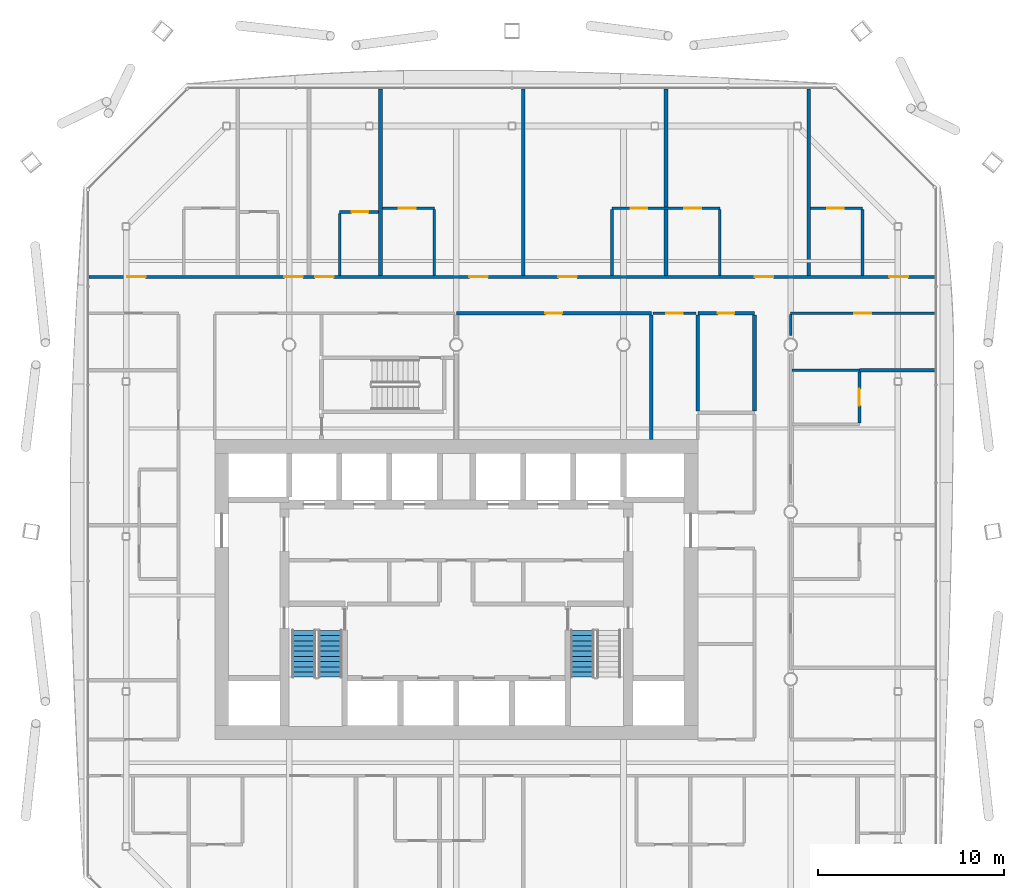
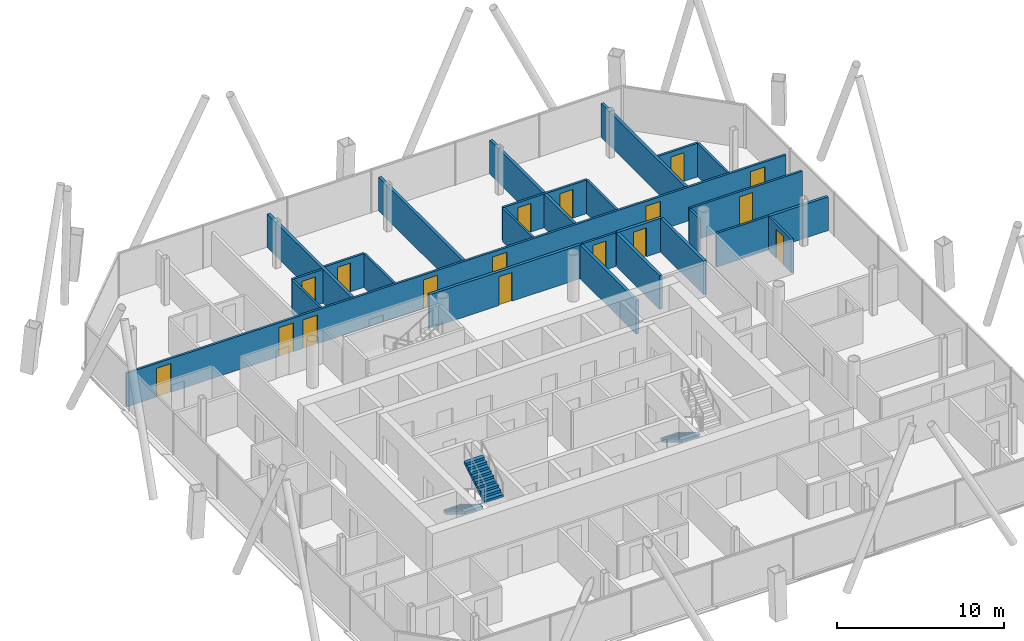
# One storey, part 17 of 23: 25 walls, 17 doors, 3 stair flights, 17 openings, 2 elements without a shape of their own.
"""IFC4 building model written with IfcOpenShell, lengths in metres."""

from ifc_helpers import new_model, si_unit, direction, frame, frame_2d, origin, place, context, subcontext, project, spatial, polyline, rectangle, outline, extrude, material, layer, layer_set, type_object, element, fill, aggregate, save


model = new_model("IFC4")

# Units and contexts
model_context = context("Model", 3, precision=1e-05, world=origin(), true_north=direction((0.0, 1.0)))
body_context = subcontext(model_context, "Body", "Model", "MODEL_VIEW")
ifc_project = project(units=[si_unit("LENGTHUNIT", "METRE"), si_unit("AREAUNIT", "SQUARE_METRE"), si_unit("VOLUMEUNIT", "CUBIC_METRE"), si_unit("PLANEANGLEUNIT", "RADIAN"), si_unit("MASSUNIT", "GRAM", prefix="KILO")], contexts=[model_context])

# Site, building, storey
site_placement = place(None, origin())
site = spatial("IfcSite", under=ifc_project, at=site_placement, CompositionType="ELEMENT")
building_placement = place(site_placement, origin())
building = spatial("IfcBuilding", under=site, at=building_placement, Name="Tskaro Facet Tower", CompositionType="ELEMENT")
storey_placement = place(building_placement, frame((0.0, 0.0, 131.699951171875)))
storey = spatial("IfcBuildingStorey", under=building, at=storey_placement, Name="L31", CompositionType="ELEMENT", Elevation=131.699951171875)

# Wall
ifc_material_1 = material(Name="Gypsum board on steel studs", Category="steel")
ifc_layer_1 = layer(ifc_material_1, 0.14990234375, Name="Gypsum board on steel studs")
ifc_layer_set_1 = layer_set([ifc_layer_1], Name="Gypsum board on steel studs")
wall_type_1 = type_object("IfcWallType", Name="PART-CORR", PredefinedType="PARTITIONING", material=ifc_layer_set_1)
wall_1_placement = place(storey_placement, frame((18.074951171875, 7.6259765625, 0.0), z_axis=(0.0, 0.0, 1.0), x_axis=(1.0, 0.0, 0.0)))
element("IfcWall", 1, at=wall_1_placement, inside=storey, type_object=wall_type_1, Name="Corridor wall W034", PredefinedType="PARTITIONING", context=body_context, shape_type="SweptSolid", body=[
    extrude(rectangle(XDim=3.625, YDim=0.14990234375, at=frame_2d((1.8125, 0.0))), origin(), (0.0, 0.0, 1.0), 2.4599609375),
])

# Wall, opening, door
wall_2_placement = place(storey_placement, frame((12.89990234375, 10.699951171875, 0.0), z_axis=(0.0, 0.0, 1.0), x_axis=(-1.0, 0.0, 0.0)))
wall_2 = element("IfcWall", 2, at=wall_2_placement, inside=storey, type_object=wall_type_1, Name="Corridor wall W041", PredefinedType="PARTITIONING", context=body_context, shape_type="SweptSolid", body=[
    extrude(rectangle(XDim=2.2998046875, YDim=0.14990234375, at=frame_2d((1.14990234375, 0.0))), origin(), (0.0, 0.0, 1.0), 2.4599609375),
])
opening_1_placement = place(wall_2_placement, frame((0.699951171875, 0.0, 0.0)))
opening_1 = element("IfcOpeningElement", 3, at=opening_1_placement, cuts=wall_2, Name="Opening T9-D45", PredefinedType="OPENING", context=body_context, shape_type="SweptSolid", body=[
    extrude(rectangle(XDim=0.89990234375, YDim=2.10009765625, at=frame_2d((0.449951171875, 1.050048828125))), frame((0.0, 0.0849609375, 0.0), z_axis=(0.0, -1.0, 0.0), x_axis=(1.0, 0.0, 0.0)), (0.0, 0.0, 1.0), 0.169921875),
])
ifc_material_2 = material(Name="Timber", Category="wood")
door_type_1 = type_object("IfcDoorType", Name="D-ROOM", OperationType="NOTDEFINED", PredefinedType="DOOR", material=ifc_material_2)
door_1_placement = place(opening_1_placement, origin())
door_1 = element("IfcDoor", 4, at=door_1_placement, inside=storey, type_object=door_type_1, Name="Door T9-D45", OperationType="SINGLE_SWING_RIGHT", OverallHeight=2.10009765625, OverallWidth=0.89990234375, PredefinedType="DOOR", context=body_context, shape_type="SweptSolid", body=[
    extrude(rectangle(XDim=0.89990234375, YDim=2.10009765625, at=frame_2d((0.449951171875, 1.050048828125))), frame((0.0, 0.02490234375, 0.0), z_axis=(0.0, -1.0, 0.0), x_axis=(1.0, 0.0, 0.0)), (0.0, 0.0, 1.0), 0.050048828125),
])
fill(opening_1, door_1)

wall_3_placement = place(storey_placement, frame((25.77001953125, 10.699951171875, 0.0), z_axis=(0.0, 0.0, 1.0), x_axis=(-1.0, 0.0, 0.0)))
wall_3 = element("IfcWall", 5, at=wall_3_placement, inside=storey, type_object=wall_type_1, Name="Corridor wall W043", PredefinedType="PARTITIONING", context=body_context, shape_type="SweptSolid", body=[
    extrude(rectangle(XDim=7.77001953125, YDim=0.14990234375, at=frame_2d((3.885009765625, 0.0))), origin(), (0.0, 0.0, 1.0), 2.4599609375),
])
opening_2_placement = place(wall_3_placement, frame((3.43505859375, 0.0, 0.0)))
opening_2 = element("IfcOpeningElement", 6, at=opening_2_placement, cuts=wall_3, Name="Opening T9-D47", PredefinedType="OPENING", context=body_context, shape_type="SweptSolid", body=[
    extrude(rectangle(XDim=0.89990234375, YDim=2.10009765625, at=frame_2d((0.449951171875, 1.050048828125))), frame((0.0, 0.0849609375, 0.0), z_axis=(0.0, -1.0, 0.0), x_axis=(1.0, 0.0, 0.0)), (0.0, 0.0, 1.0), 0.169921875),
])
door_2_placement = place(opening_2_placement, origin())
door_2 = element("IfcDoor", 7, at=door_2_placement, inside=storey, type_object=door_type_1, Name="Door T9-D47", OperationType="SINGLE_SWING_RIGHT", OverallHeight=2.10009765625, OverallWidth=0.89990234375, PredefinedType="DOOR", context=body_context, shape_type="SweptSolid", body=[
    extrude(rectangle(XDim=0.89990234375, YDim=2.10009765625, at=frame_2d((0.449951171875, 1.050048828125))), frame((0.0, 0.02490234375, 0.0), z_axis=(0.0, -1.0, 0.0), x_axis=(1.0, 0.0, 0.0)), (0.0, 0.0, 1.0), 0.050048828125),
])
fill(opening_2, door_2)

# Wall, openings, doors
wall_4_placement = place(storey_placement, frame((-19.77001953125, 12.64990234375, 0.0), z_axis=(0.0, 0.0, 1.0), x_axis=(1.0, 0.0, 0.0)))
wall_4 = element("IfcWall", 8, at=wall_4_placement, inside=storey, type_object=wall_type_1, Name="Corridor wall W044", PredefinedType="PARTITIONING", context=body_context, shape_type="SweptSolid", body=[
    extrude(rectangle(XDim=45.5400390625, YDim=0.14990234375, at=frame_2d((22.77001953125, 0.0))), origin(), (0.0, 0.0, 1.0), 2.4599609375),
])
opening_3_placement = place(wall_4_placement, frame((2.051025390625, 0.0, 0.0)))
opening_3 = element("IfcOpeningElement", 9, at=opening_3_placement, cuts=wall_4, Name="Opening T9-D48", PredefinedType="OPENING", context=body_context, shape_type="SweptSolid", body=[
    extrude(rectangle(XDim=1.0, YDim=2.10009765625, at=frame_2d((0.5, 1.050048828125))), frame((0.0, 0.0849609375, 0.0), z_axis=(0.0, -1.0, 0.0), x_axis=(1.0, 0.0, 0.0)), (0.0, 0.0, 1.0), 0.169921875),
])
opening_4_placement = place(wall_4_placement, frame((10.51806640625, 0.0, 0.0)))
opening_4 = element("IfcOpeningElement", 10, at=opening_4_placement, cuts=wall_4, Name="Opening T9-D49", PredefinedType="OPENING", context=body_context, shape_type="SweptSolid", body=[
    extrude(rectangle(XDim=1.0, YDim=2.10009765625, at=frame_2d((0.5, 1.050048828125))), frame((0.0, 0.0849609375, 0.0), z_axis=(0.0, -1.0, 0.0), x_axis=(1.0, 0.0, 0.0)), (0.0, 0.0, 1.0), 0.169921875),
])
opening_5_placement = place(wall_4_placement, frame((12.169921875, 0.0, 0.0)))
opening_5 = element("IfcOpeningElement", 11, at=opening_5_placement, cuts=wall_4, Name="Opening T9-D50", PredefinedType="OPENING", context=body_context, shape_type="SweptSolid", body=[
    extrude(rectangle(XDim=1.0, YDim=2.10009765625, at=frame_2d((0.5, 1.050048828125))), frame((0.0, 0.0849609375, 0.0), z_axis=(0.0, -1.0, 0.0), x_axis=(1.0, 0.0, 0.0)), (0.0, 0.0, 1.0), 0.169921875),
])
opening_6_placement = place(wall_4_placement, frame((20.47802734375, 0.0, 0.0)))
opening_6 = element("IfcOpeningElement", 12, at=opening_6_placement, cuts=wall_4, Name="Opening T9-D51", PredefinedType="OPENING", context=body_context, shape_type="SweptSolid", body=[
    extrude(rectangle(XDim=1.0, YDim=2.10009765625, at=frame_2d((0.5, 1.050048828125))), frame((0.0, 0.0849609375, 0.0), z_axis=(0.0, -1.0, 0.0), x_axis=(1.0, 0.0, 0.0)), (0.0, 0.0, 1.0), 0.169921875),
])
opening_7_placement = place(wall_4_placement, frame((25.261962890625, 0.0, 0.0)))
opening_7 = element("IfcOpeningElement", 13, at=opening_7_placement, cuts=wall_4, Name="Opening T9-D52", PredefinedType="OPENING", context=body_context, shape_type="SweptSolid", body=[
    extrude(rectangle(XDim=1.0, YDim=2.10009765625, at=frame_2d((0.5, 1.050048828125))), frame((0.0, 0.0849609375, 0.0), z_axis=(0.0, -1.0, 0.0), x_axis=(1.0, 0.0, 0.0)), (0.0, 0.0, 1.0), 0.169921875),
])
opening_8_placement = place(wall_4_placement, frame((35.845947265625, 0.0, 0.0)))
opening_8 = element("IfcOpeningElement", 14, at=opening_8_placement, cuts=wall_4, Name="Opening T9-D53", PredefinedType="OPENING", context=body_context, shape_type="SweptSolid", body=[
    extrude(rectangle(XDim=1.0, YDim=2.10009765625, at=frame_2d((0.5, 1.050048828125))), frame((0.0, 0.0849609375, 0.0), z_axis=(0.0, -1.0, 0.0), x_axis=(1.0, 0.0, 0.0)), (0.0, 0.0, 1.0), 0.169921875),
])
opening_9_placement = place(wall_4_placement, frame((43.089111328125, 0.0, 0.0)))
opening_9 = element("IfcOpeningElement", 15, at=opening_9_placement, cuts=wall_4, Name="Opening T9-D54", PredefinedType="OPENING", context=body_context, shape_type="SweptSolid", body=[
    extrude(rectangle(XDim=1.0, YDim=2.10009765625, at=frame_2d((0.5, 1.050048828125))), frame((0.0, 0.0849609375, 0.0), z_axis=(0.0, -1.0, 0.0), x_axis=(1.0, 0.0, 0.0)), (0.0, 0.0, 1.0), 0.169921875),
])
door_type_2 = type_object("IfcDoorType", Name="D-ENTRY", OperationType="NOTDEFINED", PredefinedType="DOOR", material=ifc_material_2)
door_3_placement = place(opening_3_placement, origin())
door_3 = element("IfcDoor", 16, at=door_3_placement, inside=storey, type_object=door_type_2, Name="Door T9-D48", OperationType="SINGLE_SWING_RIGHT", OverallHeight=2.10009765625, OverallWidth=1.0, PredefinedType="DOOR", context=body_context, shape_type="SweptSolid", body=[
    extrude(rectangle(XDim=1.0, YDim=2.10009765625, at=frame_2d((0.5, 1.050048828125))), frame((0.0, 0.02490234375, 0.0), z_axis=(0.0, -1.0, 0.0), x_axis=(1.0, 0.0, 0.0)), (0.0, 0.0, 1.0), 0.050048828125),
])
fill(opening_3, door_3)
door_4_placement = place(opening_4_placement, origin())
door_4 = element("IfcDoor", 17, at=door_4_placement, inside=storey, type_object=door_type_2, Name="Door T9-D49", OperationType="SINGLE_SWING_LEFT", OverallHeight=2.10009765625, OverallWidth=1.0, PredefinedType="DOOR", context=body_context, shape_type="SweptSolid", body=[
    extrude(rectangle(XDim=1.0, YDim=2.10009765625, at=frame_2d((0.5, 1.050048828125))), frame((0.0, 0.02490234375, 0.0), z_axis=(0.0, -1.0, 0.0), x_axis=(1.0, 0.0, 0.0)), (0.0, 0.0, 1.0), 0.050048828125),
])
fill(opening_4, door_4)
door_5_placement = place(opening_5_placement, origin())
door_5 = element("IfcDoor", 18, at=door_5_placement, inside=storey, type_object=door_type_2, Name="Door T9-D50", OperationType="SINGLE_SWING_LEFT", OverallHeight=2.10009765625, OverallWidth=1.0, PredefinedType="DOOR", context=body_context, shape_type="SweptSolid", body=[
    extrude(rectangle(XDim=1.0, YDim=2.10009765625, at=frame_2d((0.5, 1.050048828125))), frame((0.0, 0.02490234375, 0.0), z_axis=(0.0, -1.0, 0.0), x_axis=(1.0, 0.0, 0.0)), (0.0, 0.0, 1.0), 0.050048828125),
])
fill(opening_5, door_5)
door_6_placement = place(opening_6_placement, origin())
door_6 = element("IfcDoor", 19, at=door_6_placement, inside=storey, type_object=door_type_2, Name="Door T9-D51", OperationType="SINGLE_SWING_RIGHT", OverallHeight=2.10009765625, OverallWidth=1.0, PredefinedType="DOOR", context=body_context, shape_type="SweptSolid", body=[
    extrude(rectangle(XDim=1.0, YDim=2.10009765625, at=frame_2d((0.5, 1.050048828125))), frame((0.0, 0.02490234375, 0.0), z_axis=(0.0, -1.0, 0.0), x_axis=(1.0, 0.0, 0.0)), (0.0, 0.0, 1.0), 0.050048828125),
])
fill(opening_6, door_6)
door_7_placement = place(opening_7_placement, origin())
door_7 = element("IfcDoor", 20, at=door_7_placement, inside=storey, type_object=door_type_2, Name="Door T9-D52", OperationType="SINGLE_SWING_RIGHT", OverallHeight=2.10009765625, OverallWidth=1.0, PredefinedType="DOOR", context=body_context, shape_type="SweptSolid", body=[
    extrude(rectangle(XDim=1.0, YDim=2.10009765625, at=frame_2d((0.5, 1.050048828125))), frame((0.0, 0.02490234375, 0.0), z_axis=(0.0, -1.0, 0.0), x_axis=(1.0, 0.0, 0.0)), (0.0, 0.0, 1.0), 0.050048828125),
])
fill(opening_7, door_7)
door_8_placement = place(opening_8_placement, origin())
door_8 = element("IfcDoor", 21, at=door_8_placement, inside=storey, type_object=door_type_2, Name="Door T9-D53", OperationType="SINGLE_SWING_LEFT", OverallHeight=2.10009765625, OverallWidth=1.0, PredefinedType="DOOR", context=body_context, shape_type="SweptSolid", body=[
    extrude(rectangle(XDim=1.0, YDim=2.10009765625, at=frame_2d((0.5, 1.050048828125))), frame((0.0, 0.02490234375, 0.0), z_axis=(0.0, -1.0, 0.0), x_axis=(1.0, 0.0, 0.0)), (0.0, 0.0, 1.0), 0.050048828125),
])
fill(opening_8, door_8)
door_9_placement = place(opening_9_placement, origin())
door_9 = element("IfcDoor", 22, at=door_9_placement, inside=storey, type_object=door_type_2, Name="Door T9-D54", OperationType="SINGLE_SWING_RIGHT", OverallHeight=2.10009765625, OverallWidth=1.0, PredefinedType="DOOR", context=body_context, shape_type="SweptSolid", body=[
    extrude(rectangle(XDim=1.0, YDim=2.10009765625, at=frame_2d((0.5, 1.050048828125))), frame((0.0, 0.02490234375, 0.0), z_axis=(0.0, -1.0, 0.0), x_axis=(1.0, 0.0, 0.0)), (0.0, 0.0, 1.0), 0.050048828125),
])
fill(opening_9, door_9)

# Wall, opening, door
wall_5_placement = place(storey_placement, frame((-4.18408203125, 16.14990234375, 0.0), z_axis=(0.0, 0.0, 1.0), x_axis=(-1.0, 0.0, 0.0)))
wall_5 = element("IfcWall", 23, at=wall_5_placement, inside=storey, type_object=wall_type_1, Name="Corridor wall W046", PredefinedType="PARTITIONING", context=body_context, shape_type="SweptSolid", body=[
    extrude(rectangle(XDim=2.08984375, YDim=0.14990234375, at=frame_2d((1.044921875, 0.0))), origin(), (0.0, 0.0, 1.0), 2.4599609375),
])
opening_10_placement = place(wall_5_placement, frame((0.544921875, 0.0, 0.0)))
opening_10 = element("IfcOpeningElement", 24, at=opening_10_placement, cuts=wall_5, Name="Opening T9-D56", PredefinedType="OPENING", context=body_context, shape_type="SweptSolid", body=[
    extrude(rectangle(XDim=0.89990234375, YDim=2.10009765625, at=frame_2d((0.449951171875, 1.050048828125))), frame((0.0, 0.0849609375, 0.0), z_axis=(0.0, -1.0, 0.0), x_axis=(1.0, 0.0, 0.0)), (0.0, 0.0, 1.0), 0.169921875),
])
door_10_placement = place(opening_10_placement, origin())
door_10 = element("IfcDoor", 25, at=door_10_placement, inside=storey, type_object=door_type_1, Name="Door T9-D56", OperationType="SINGLE_SWING_RIGHT", OverallHeight=2.10009765625, OverallWidth=0.89990234375, PredefinedType="DOOR", context=body_context, shape_type="SweptSolid", body=[
    extrude(rectangle(XDim=0.89990234375, YDim=2.10009765625, at=frame_2d((0.449951171875, 1.050048828125))), frame((0.0, 0.02490234375, 0.0), z_axis=(0.0, -1.0, 0.0), x_axis=(1.0, 0.0, 0.0)), (0.0, 0.0, 1.0), 0.050048828125),
])
fill(opening_10, door_10)

wall_6_placement = place(storey_placement, frame((-1.18408203125, 16.35009765625, 0.0), z_axis=(0.0, 0.0, 1.0), x_axis=(-1.0, 0.0, 0.0)))
wall_6 = element("IfcWall", 26, at=wall_6_placement, inside=storey, type_object=wall_type_1, Name="Corridor wall W048", PredefinedType="PARTITIONING", context=body_context, shape_type="SweptSolid", body=[
    extrude(rectangle(XDim=2.7998046875, YDim=0.14990234375, at=frame_2d((1.39990234375, 0.0))), origin(), (0.0, 0.0, 1.0), 2.4599609375),
])
opening_11_placement = place(wall_6_placement, frame((1.0, 0.0, 0.0)))
opening_11 = element("IfcOpeningElement", 27, at=opening_11_placement, cuts=wall_6, Name="Opening T9-D58", PredefinedType="OPENING", context=body_context, shape_type="SweptSolid", body=[
    extrude(rectangle(XDim=0.89990234375, YDim=2.10009765625, at=frame_2d((0.449951171875, 1.050048828125))), frame((0.0, 0.0849609375, 0.0), z_axis=(0.0, -1.0, 0.0), x_axis=(1.0, 0.0, 0.0)), (0.0, 0.0, 1.0), 0.169921875),
])
door_11_placement = place(opening_11_placement, origin())
door_11 = element("IfcDoor", 28, at=door_11_placement, inside=storey, type_object=door_type_1, Name="Door T9-D58", OperationType="SINGLE_SWING_RIGHT", OverallHeight=2.10009765625, OverallWidth=0.89990234375, PredefinedType="DOOR", context=body_context, shape_type="SweptSolid", body=[
    extrude(rectangle(XDim=0.89990234375, YDim=2.10009765625, at=frame_2d((0.449951171875, 1.050048828125))), frame((0.0, 0.02490234375, 0.0), z_axis=(0.0, -1.0, 0.0), x_axis=(1.0, 0.0, 0.0)), (0.0, 0.0, 1.0), 0.050048828125),
])
fill(opening_11, door_11)

# Wall, openings, doors
wall_7_placement = place(storey_placement, frame((14.18408203125, 16.35009765625, 0.0), z_axis=(0.0, 0.0, 1.0), x_axis=(-1.0, 0.0, 0.0)))
wall_7 = element("IfcWall", 29, at=wall_7_placement, inside=storey, type_object=wall_type_1, Name="Corridor wall W049", PredefinedType="PARTITIONING", context=body_context, shape_type="SweptSolid", body=[
    extrude(rectangle(XDim=5.800048828125, YDim=0.14990234375, at=frame_2d((2.89990234375, 0.0))), origin(), (0.0, 0.0, 1.0), 2.4599609375),
])
opening_12_placement = place(wall_7_placement, frame((3.89990234375, 0.0, 0.0)))
opening_12 = element("IfcOpeningElement", 30, at=opening_12_placement, cuts=wall_7, Name="Opening T9-D59", PredefinedType="OPENING", context=body_context, shape_type="SweptSolid", body=[
    extrude(rectangle(XDim=0.89990234375, YDim=2.10009765625, at=frame_2d((0.449951171875, 1.050048828125))), frame((0.0, 0.0849609375, 0.0), z_axis=(0.0, -1.0, 0.0), x_axis=(1.0, 0.0, 0.0)), (0.0, 0.0, 1.0), 0.169921875),
])
opening_13_placement = place(wall_7_placement, frame((1.0, 0.0, 0.0)))
opening_13 = element("IfcOpeningElement", 31, at=opening_13_placement, cuts=wall_7, Name="Opening T9-D60", PredefinedType="OPENING", context=body_context, shape_type="SweptSolid", body=[
    extrude(rectangle(XDim=0.89990234375, YDim=2.10009765625, at=frame_2d((0.449951171875, 1.050048828125))), frame((0.0, 0.0849609375, 0.0), z_axis=(0.0, -1.0, 0.0), x_axis=(1.0, 0.0, 0.0)), (0.0, 0.0, 1.0), 0.169921875),
])
door_12_placement = place(opening_12_placement, origin())
door_12 = element("IfcDoor", 32, at=door_12_placement, inside=storey, type_object=door_type_1, Name="Door T9-D59", OperationType="SINGLE_SWING_RIGHT", OverallHeight=2.10009765625, OverallWidth=0.89990234375, PredefinedType="DOOR", context=body_context, shape_type="SweptSolid", body=[
    extrude(rectangle(XDim=0.89990234375, YDim=2.10009765625, at=frame_2d((0.449951171875, 1.050048828125))), frame((0.0, 0.02490234375, 0.0), z_axis=(0.0, -1.0, 0.0), x_axis=(1.0, 0.0, 0.0)), (0.0, 0.0, 1.0), 0.050048828125),
])
fill(opening_12, door_12)
door_13_placement = place(opening_13_placement, origin())
door_13 = element("IfcDoor", 33, at=door_13_placement, inside=storey, type_object=door_type_1, Name="Door T9-D60", OperationType="SINGLE_SWING_RIGHT", OverallHeight=2.10009765625, OverallWidth=0.89990234375, PredefinedType="DOOR", context=body_context, shape_type="SweptSolid", body=[
    extrude(rectangle(XDim=0.89990234375, YDim=2.10009765625, at=frame_2d((0.449951171875, 1.050048828125))), frame((0.0, 0.02490234375, 0.0), z_axis=(0.0, -1.0, 0.0), x_axis=(1.0, 0.0, 0.0)), (0.0, 0.0, 1.0), 0.050048828125),
])
fill(opening_13, door_13)

# Wall, opening, door
wall_8_placement = place(storey_placement, frame((21.867919921875, 16.35009765625, 0.0), z_axis=(0.0, 0.0, 1.0), x_axis=(-1.0, 0.0, 0.0)))
wall_8 = element("IfcWall", 34, at=wall_8_placement, inside=storey, type_object=wall_type_1, Name="Corridor wall W050", PredefinedType="PARTITIONING", context=body_context, shape_type="SweptSolid", body=[
    extrude(rectangle(XDim=2.7998046875, YDim=0.14990234375, at=frame_2d((1.39990234375, 0.0))), origin(), (0.0, 0.0, 1.0), 2.4599609375),
])
opening_14_placement = place(wall_8_placement, frame((1.0, 0.0, 0.0)))
opening_14 = element("IfcOpeningElement", 35, at=opening_14_placement, cuts=wall_8, Name="Opening T9-D61", PredefinedType="OPENING", context=body_context, shape_type="SweptSolid", body=[
    extrude(rectangle(XDim=0.89990234375, YDim=2.10009765625, at=frame_2d((0.449951171875, 1.050048828125))), frame((0.0, 0.0849609375, 0.0), z_axis=(0.0, -1.0, 0.0), x_axis=(1.0, 0.0, 0.0)), (0.0, 0.0, 1.0), 0.169921875),
])
door_14_placement = place(opening_14_placement, origin())
door_14 = element("IfcDoor", 36, at=door_14_placement, inside=storey, type_object=door_type_1, Name="Door T9-D61", OperationType="SINGLE_SWING_RIGHT", OverallHeight=2.10009765625, OverallWidth=0.89990234375, PredefinedType="DOOR", context=body_context, shape_type="SweptSolid", body=[
    extrude(rectangle(XDim=0.89990234375, YDim=2.10009765625, at=frame_2d((0.449951171875, 1.050048828125))), frame((0.0, 0.02490234375, 0.0), z_axis=(0.0, -1.0, 0.0), x_axis=(1.0, 0.0, 0.0)), (0.0, 0.0, 1.0), 0.050048828125),
])
fill(opening_14, door_14)

# Walls
wall_9_placement = place(storey_placement, frame((-6.27392578125, 12.72509765625, 0.0), z_axis=(0.0, 0.0, 1.0), x_axis=(0.0, 1.0, 0.0)))
element("IfcWall", 37, at=wall_9_placement, inside=storey, type_object=wall_type_1, Name="Corridor wall W066", PredefinedType="PARTITIONING", context=body_context, shape_type="SweptSolid", body=[
    extrude(rectangle(XDim=3.349853515625, YDim=0.14990234375, at=frame_2d((1.6748046875, 0.0))), origin(), (0.0, 0.0, 1.0), 2.4599609375),
])
for number, where, z_axis, x_axis, name in (
    (38, (-1.18408203125, 12.72509765625, 0.0), (0.0, 0.0, 1.0), (0.0, 1.0, 0.0), "Corridor wall W074"),
    (39, (8.384033203125, 12.72509765625, 0.0), (0.0, 0.0, 1.0), (0.0, 1.0, 0.0), "Corridor wall W092"),
    (40, (14.18408203125, 12.72509765625, 0.0), (0.0, 0.0, 1.0), (0.0, 1.0, 0.0), "Corridor wall W100"),
):
    element("IfcWall", number, at=place(storey_placement, frame(where, z_axis=z_axis, x_axis=x_axis)), inside=storey, type_object=wall_type_1, Name=name, PredefinedType="PARTITIONING", context=body_context, shape_type="SweptSolid", body=[
        extrude(rectangle(XDim=3.5498046875, YDim=0.14990234375, at=frame_2d((1.77490234375, 0.0))), origin(), (0.0, 0.0, 1.0), 2.4599609375),
    ])
wall_10_placement = place(storey_placement, frame((18.0, 9.5, 0.0), z_axis=(0.0, 0.0, 1.0), x_axis=(0.0, 1.0, 0.0)))
element("IfcWall", 41, at=wall_10_placement, inside=storey, type_object=wall_type_1, Name="Corridor wall W108", PredefinedType="PARTITIONING", context=body_context, shape_type="SweptSolid", body=[
    extrude(rectangle(XDim=1.125, YDim=0.14990234375, at=frame_2d((0.5625, 0.0))), origin(), (0.0, 0.0, 1.0), 2.4599609375),
])

# Wall, opening, door
wall_11_placement = place(storey_placement, frame((21.699951171875, 4.801025390625, 0.0), z_axis=(0.0, 0.0, 1.0), x_axis=(0.0, 1.0, 0.0)))
wall_11 = element("IfcWall", 42, at=wall_11_placement, inside=storey, type_object=wall_type_1, Name="Corridor wall W112", PredefinedType="PARTITIONING", context=body_context, shape_type="SweptSolid", body=[
    extrude(rectangle(XDim=2.724853515625, YDim=0.14990234375, at=frame_2d((1.3623046875, 0.0))), origin(), (0.0, 0.0, 1.0), 2.4599609375),
])
opening_15_placement = place(wall_11_placement, frame((0.925048828125, 0.0, 0.0)))
opening_15 = element("IfcOpeningElement", 43, at=opening_15_placement, cuts=wall_11, Name="Opening T9-D40", PredefinedType="OPENING", context=body_context, shape_type="SweptSolid", body=[
    extrude(rectangle(XDim=0.89990234375, YDim=2.10009765625, at=frame_2d((0.449951171875, 1.050048828125))), frame((0.0, 0.0849609375, 0.0), z_axis=(0.0, -1.0, 0.0), x_axis=(1.0, 0.0, 0.0)), (0.0, 0.0, 1.0), 0.169921875),
])
door_15_placement = place(opening_15_placement, origin())
door_15 = element("IfcDoor", 44, at=door_15_placement, inside=storey, type_object=door_type_1, Name="Door T9-D40", OperationType="SINGLE_SWING_LEFT", OverallHeight=2.10009765625, OverallWidth=0.89990234375, PredefinedType="DOOR", context=body_context, shape_type="SweptSolid", body=[
    extrude(rectangle(XDim=0.89990234375, YDim=2.10009765625, at=frame_2d((0.449951171875, 1.050048828125))), frame((0.0, 0.02490234375, 0.0), z_axis=(0.0, -1.0, 0.0), x_axis=(1.0, 0.0, 0.0)), (0.0, 0.0, 1.0), 0.050048828125),
])
fill(opening_15, door_15)

# Walls
wall_12_placement = place(storey_placement, frame((21.867919921875, 12.72509765625, 0.0), z_axis=(0.0, 0.0, 1.0), x_axis=(0.0, 1.0, 0.0)))
element("IfcWall", 45, at=wall_12_placement, inside=storey, type_object=wall_type_1, Name="Corridor wall W113", PredefinedType="PARTITIONING", context=body_context, shape_type="SweptSolid", body=[
    extrude(rectangle(XDim=3.5498046875, YDim=0.14990234375, at=frame_2d((1.77490234375, 0.0))), origin(), (0.0, 0.0, 1.0), 2.4599609375),
])
ifc_layer_2 = layer(ifc_material_1, 0.199951171875, Name="Gypsum board on steel studs")
ifc_layer_set_2 = layer_set([ifc_layer_2], Name="Gypsum board on steel studs")
wall_type_2 = type_object("IfcWallType", Name="PART-DEMISING", PredefinedType="PARTITIONING", material=ifc_layer_set_2)
wall_13_placement = place(storey_placement, frame((21.699951171875, 7.6259765625, 0.0), z_axis=(0.0, 0.0, 1.0), x_axis=(1.0, 0.0, 0.0)))
element("IfcWall", 46, at=wall_13_placement, inside=storey, type_object=wall_type_2, Name="Guest room wall W035", PredefinedType="PARTITIONING", context=body_context, shape_type="SweptSolid", body=[
    extrude(rectangle(XDim=4.070068359375, YDim=0.199951171875, at=frame_2d((2.03515625, 0.0))), origin(), (0.0, 0.0, 1.0), 2.4599609375),
])
for number, where, z_axis, x_axis, name in (
    (47, (-4.083984375, 12.72509765625, 0.0), (0.0, 0.0, 1.0), (0.0, 1.0, 0.0), "Guest room wall W069"),
    (48, (3.60009765625, 12.72509765625, 0.0), (0.0, 0.0, 1.0), (0.0, 1.0, 0.0), "Guest room wall W089"),
    (49, (11.283935546875, 12.72509765625, 0.0), (0.0, 0.0, 1.0), (0.0, 1.0, 0.0), "Guest room wall W096"),
    (50, (18.968017578125, 12.72509765625, 0.0), (0.0, 0.0, 1.0), (0.0, 1.0, 0.0), "Guest room wall W109"),
):
    element("IfcWall", number, at=place(storey_placement, frame(where, z_axis=z_axis, x_axis=x_axis)), inside=storey, type_object=wall_type_2, Name=name, PredefinedType="PARTITIONING", context=body_context, shape_type="SweptSolid", body=[
        extrude(rectangle(XDim=10.044921875, YDim=0.199951171875, at=frame_2d((5.0224609375, 0.0))), origin(), (0.0, 0.0, 1.0), 2.4599609375),
    ])

# Wall, opening, door
ifc_material_3 = material(Name="Concrete C20/25", Category="concrete")
ifc_layer_3 = layer(ifc_material_3, 0.199951171875, Name="Concrete C20/25")
ifc_layer_set_3 = layer_set([ifc_layer_3], Name="Concrete C20/25")
wall_type_3 = type_object("IfcWallType", Name="WALL-RISER", PredefinedType="SOLIDWALL", material=ifc_layer_set_3)
wall_14_placement = place(storey_placement, frame((10.5, 10.699951171875, 0.0), z_axis=(0.0, 0.0, 1.0), x_axis=(-1.0, 0.0, 0.0)))
wall_14 = element("IfcWall", 51, at=wall_14_placement, inside=storey, type_object=wall_type_3, Name="Riser room wall W040", PredefinedType="SOLIDWALL", context=body_context, shape_type="SweptSolid", body=[
    extrude(rectangle(XDim=10.5, YDim=0.199951171875, at=frame_2d((5.25, 0.0))), origin(), (0.0, 0.0, 1.0), 2.4599609375),
])
opening_16_placement = place(wall_14_placement, frame((4.800048828125, 0.0, 0.0)))
opening_16 = element("IfcOpeningElement", 52, at=opening_16_placement, cuts=wall_14, Name="Opening T9-D44", PredefinedType="OPENING", context=body_context, shape_type="SweptSolid", body=[
    extrude(rectangle(XDim=0.89990234375, YDim=2.10009765625, at=frame_2d((0.449951171875, 1.050048828125))), frame((0.0, 0.10986328125, 0.0), z_axis=(0.0, -1.0, 0.0), x_axis=(1.0, 0.0, 0.0)), (0.0, 0.0, 1.0), 0.219970703125),
])
ifc_material_4 = material(Name="Steel", Category="steel")
door_type_3 = type_object("IfcDoorType", Name="D-RISER", OperationType="NOTDEFINED", PredefinedType="DOOR", material=ifc_material_4)
door_16_placement = place(opening_16_placement, origin())
door_16 = element("IfcDoor", 53, at=door_16_placement, inside=storey, type_object=door_type_3, Name="Door T9-D44", OperationType="SINGLE_SWING_RIGHT", OverallHeight=2.10009765625, OverallWidth=0.89990234375, PredefinedType="DOOR", context=body_context, shape_type="SweptSolid", body=[
    extrude(rectangle(XDim=0.89990234375, YDim=2.10009765625, at=frame_2d((0.449951171875, 1.050048828125))), frame((0.0, 0.02490234375, 0.0), z_axis=(0.0, -1.0, 0.0), x_axis=(1.0, 0.0, 0.0)), (0.0, 0.0, 1.0), 0.050048828125),
])
fill(opening_16, door_16)

wall_15_placement = place(storey_placement, frame((16.050048828125, 10.699951171875, 0.0), z_axis=(0.0, 0.0, 1.0), x_axis=(-1.0, 0.0, 0.0)))
wall_15 = element("IfcWall", 54, at=wall_15_placement, inside=storey, type_object=wall_type_3, Name="Riser room wall W042", PredefinedType="SOLIDWALL", context=body_context, shape_type="SweptSolid", body=[
    extrude(rectangle(XDim=3.050048828125, YDim=0.199951171875, at=frame_2d((1.52490234375, 0.0))), origin(), (0.0, 0.0, 1.0), 2.4599609375),
])
opening_17_placement = place(wall_15_placement, frame((1.074951171875, 0.0, 0.0)))
opening_17 = element("IfcOpeningElement", 55, at=opening_17_placement, cuts=wall_15, Name="Opening T9-D46", PredefinedType="OPENING", context=body_context, shape_type="SweptSolid", body=[
    extrude(rectangle(XDim=0.89990234375, YDim=2.10009765625, at=frame_2d((0.449951171875, 1.050048828125))), frame((0.0, 0.10986328125, 0.0), z_axis=(0.0, -1.0, 0.0), x_axis=(1.0, 0.0, 0.0)), (0.0, 0.0, 1.0), 0.219970703125),
])
door_17_placement = place(opening_17_placement, origin())
door_17 = element("IfcDoor", 56, at=door_17_placement, inside=storey, type_object=door_type_3, Name="Door T9-D46", OperationType="SINGLE_SWING_RIGHT", OverallHeight=2.10009765625, OverallWidth=0.89990234375, PredefinedType="DOOR", context=body_context, shape_type="SweptSolid", body=[
    extrude(rectangle(XDim=0.89990234375, YDim=2.10009765625, at=frame_2d((0.449951171875, 1.050048828125))), frame((0.0, 0.02490234375, 0.0), z_axis=(0.0, -1.0, 0.0), x_axis=(1.0, 0.0, 0.0)), (0.0, 0.0, 1.0), 0.050048828125),
])
fill(opening_17, door_17)

# Walls
wall_16_placement = place(storey_placement, frame((10.5, 3.89990234375, 0.0), z_axis=(0.0, 0.0, 1.0), x_axis=(0.0, 1.0, 0.0)))
element("IfcWall", 57, at=wall_16_placement, inside=storey, type_object=wall_type_3, Name="Riser room wall W095", PredefinedType="SOLIDWALL", context=body_context, shape_type="SweptSolid", body=[
    extrude(rectangle(XDim=6.7001953125, YDim=0.199951171875, at=frame_2d((3.35009765625, 0.0))), origin(), (0.0, 0.0, 1.0), 2.4599609375),
])
for number, where, z_axis, x_axis, name in (
    (58, (13.0, 5.43701171875, 0.0), (0.0, 0.0, 1.0), (0.0, 1.0, 0.0), "Riser room wall W099"),
    (59, (16.050048828125, 5.43701171875, 0.0), (0.0, 0.0, 1.0), (0.0, 1.0, 0.0), "Riser room wall W104"),
):
    element("IfcWall", number, at=place(storey_placement, frame(where, z_axis=z_axis, x_axis=x_axis)), inside=storey, type_object=wall_type_3, Name=name, PredefinedType="SOLIDWALL", context=body_context, shape_type="SweptSolid", body=[
        extrude(rectangle(XDim=5.1630859375, YDim=0.199951171875, at=frame_2d((2.58154296875, 0.0))), origin(), (0.0, 0.0, 1.0), 2.4599609375),
    ])

# Stair, stair flights
ifc_material_5 = material(Name="Concrete C40/50", Category="concrete")
stair_type = type_object("IfcStairType", Name="ST-TWR", PredefinedType="HALF_TURN_STAIR", material=ifc_material_5)
stair_1_placement = place(storey_placement, origin())
stair_1 = element("IfcStair", 60, at=stair_1_placement, inside=storey, type_object=stair_type, Name="L31 Exit stair 1", PredefinedType="HALF_TURN_STAIR")
stair_flight_type = type_object("IfcStairFlightType", Name="SFL-RC", PredefinedType="STRAIGHT", material=ifc_material_5)
stair_flight_1_placement = place(storey_placement, frame((-8.21240234375, -6.375, 0.0), z_axis=(0.0, 0.0, 1.0), x_axis=(0.0, -1.0, 0.0)))
stair_flight_1 = element("IfcStairFlight", 61, at=stair_flight_1_placement, type_object=stair_flight_type, Name="ST-1 flight 1", NumberOfRisers=10, NumberOfTreads=9, PredefinedType="STRAIGHT", RiserHeight=0.17, TreadLength=0.28, context=body_context, shape_type="SweptSolid", body=[
    extrude(outline(polyline([(0.0, 0.0), (0.0, 0.169921875), (0.280029296875, 0.169921875), (0.280029296875, 0.340087890625), (0.56005859375, 0.340087890625), (0.56005859375, 0.510009765625), (0.840087890625, 0.510009765625), (0.840087890625, 0.679931640625), (1.1201171875, 0.679931640625), (1.1201171875, 0.85009765625), (1.39990234375, 0.85009765625), (1.39990234375, 1.02001953125), (1.679931640625, 1.02001953125), (1.679931640625, 1.18994140625), (1.9599609375, 1.18994140625), (1.9599609375, 1.360107421875), (2.239990234375, 1.360107421875), (2.239990234375, 1.530029296875), (2.52001953125, 1.530029296875), (2.52001953125, 1.699951171875), (2.52001953125, 1.354736328125), (0.288818359375, 0.0), (0.0, 0.0)])), frame((0.0, 0.637451171875, 0.0), z_axis=(0.0, -1.0, 0.0), x_axis=(1.0, 0.0, 0.0)), (0.0, 0.0, 1.0), 1.27490234375),
])
stair_flight_2_placement = place(storey_placement, frame((-6.78759765625, -8.89501953125, 1.699951171875), z_axis=(0.0, 0.0, 1.0), x_axis=(0.0, 1.0, 0.0)))
stair_flight_2 = element("IfcStairFlight", 62, at=stair_flight_2_placement, type_object=stair_flight_type, Name="ST-1 flight 2", NumberOfRisers=10, NumberOfTreads=9, PredefinedType="STRAIGHT", RiserHeight=0.17, TreadLength=0.28, context=body_context, shape_type="SweptSolid", body=[
    extrude(outline(polyline([(0.0, 0.0), (0.0, 0.169921875), (0.280029296875, 0.169921875), (0.280029296875, 0.340087890625), (0.56005859375, 0.340087890625), (0.56005859375, 0.510009765625), (0.840087890625, 0.510009765625), (0.840087890625, 0.679931640625), (1.1201171875, 0.679931640625), (1.1201171875, 0.85009765625), (1.39990234375, 0.85009765625), (1.39990234375, 1.02001953125), (1.679931640625, 1.02001953125), (1.679931640625, 1.18994140625), (1.9599609375, 1.18994140625), (1.9599609375, 1.360107421875), (2.239990234375, 1.360107421875), (2.239990234375, 1.530029296875), (2.52001953125, 1.530029296875), (2.52001953125, 1.699951171875), (2.52001953125, 1.354736328125), (0.288818359375, 0.0), (0.0, 0.0)])), frame((0.0, 0.637451171875, 0.0), z_axis=(0.0, -1.0, 0.0), x_axis=(1.0, 0.0, 0.0)), (0.0, 0.0, 1.0), 1.27490234375),
])
aggregate(stair_1, [stair_flight_1, stair_flight_2])

# Stair, stair flight
stair_2_placement = place(storey_placement, origin())
stair_2 = element("IfcStair", 63, at=stair_2_placement, inside=storey, type_object=stair_type, Name="L31 Exit stair 2", PredefinedType="HALF_TURN_STAIR")
stair_flight_3_placement = place(storey_placement, frame((6.78759765625, -6.375, 0.0), z_axis=(0.0, 0.0, 1.0), x_axis=(0.0, -1.0, 0.0)))
stair_flight_3 = element("IfcStairFlight", 64, at=stair_flight_3_placement, type_object=stair_flight_type, Name="ST-2 flight 1", NumberOfRisers=10, NumberOfTreads=9, PredefinedType="STRAIGHT", RiserHeight=0.17, TreadLength=0.28, context=body_context, shape_type="SweptSolid", body=[
    extrude(outline(polyline([(0.0, 0.0), (0.0, 0.169921875), (0.280029296875, 0.169921875), (0.280029296875, 0.340087890625), (0.56005859375, 0.340087890625), (0.56005859375, 0.510009765625), (0.840087890625, 0.510009765625), (0.840087890625, 0.679931640625), (1.1201171875, 0.679931640625), (1.1201171875, 0.85009765625), (1.39990234375, 0.85009765625), (1.39990234375, 1.02001953125), (1.679931640625, 1.02001953125), (1.679931640625, 1.18994140625), (1.9599609375, 1.18994140625), (1.9599609375, 1.360107421875), (2.239990234375, 1.360107421875), (2.239990234375, 1.530029296875), (2.52001953125, 1.530029296875), (2.52001953125, 1.699951171875), (2.52001953125, 1.354736328125), (0.288818359375, 0.0), (0.0, 0.0)])), frame((0.0, 0.637451171875, 0.0), z_axis=(0.0, -1.0, 0.0), x_axis=(1.0, 0.0, 0.0)), (0.0, 0.0, 1.0), 1.27490234375),
])
aggregate(stair_2, [stair_flight_3])

save(model, "model.ifc")
